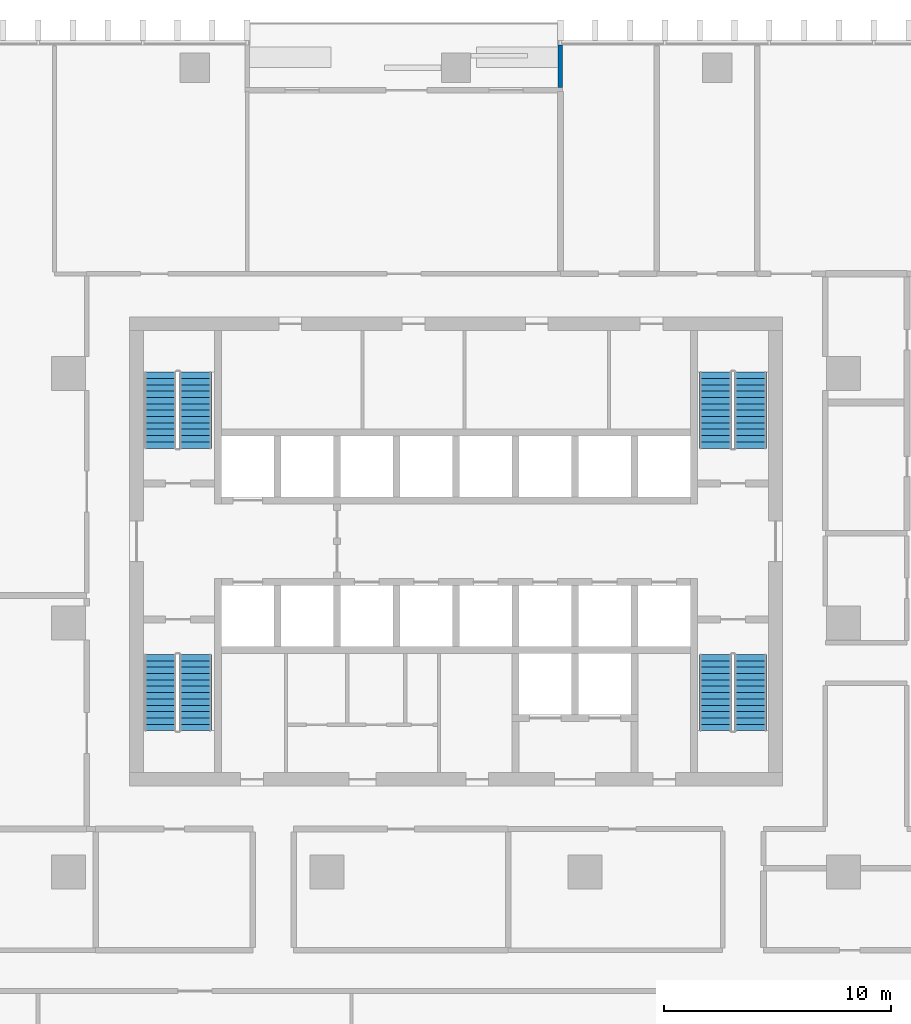
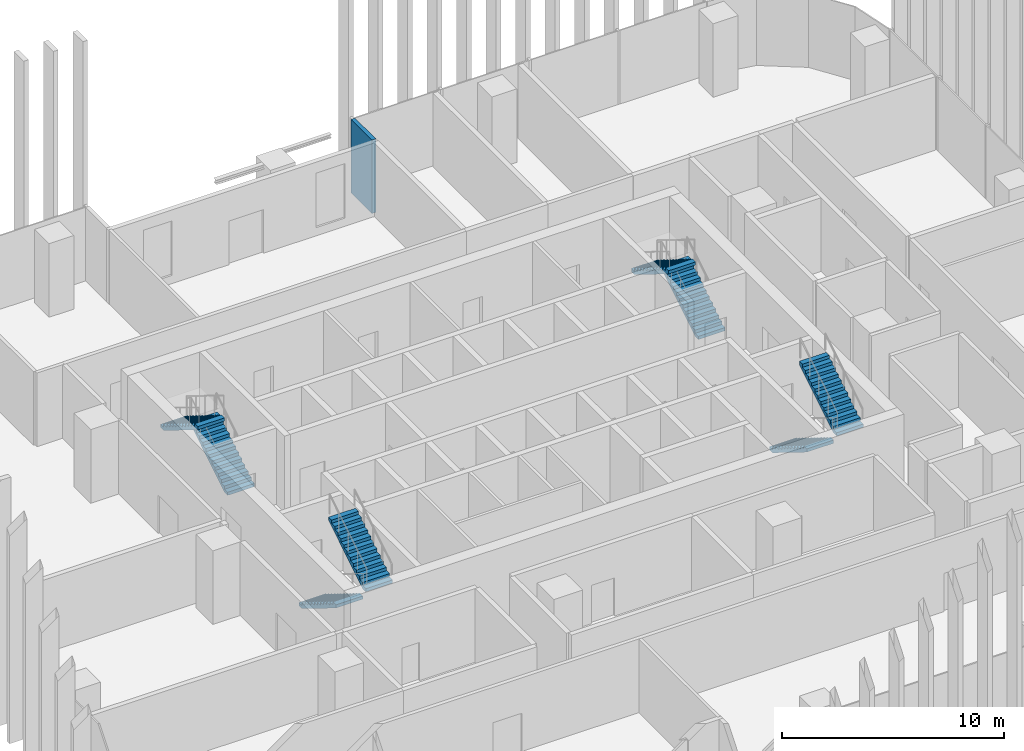
# One storey, part 11 of 17: 8 stair flights, 1 wall, 4 elements without a shape of their own.
"""IFC4 building model written with IfcOpenShell, lengths in metres."""

from ifc_helpers import new_model, si_unit, direction, frame, frame_2d, origin, place, context, subcontext, project, spatial, polyline, rectangle, outline, extrude, material, layer, layer_set, type_object, element, aggregate, save


model = new_model("IFC4")

# Units and contexts
model_context = context("Model", 3, precision=1e-05, world=origin(), true_north=direction((0.0, 1.0)))
body_context = subcontext(model_context, "Body", "Model", "MODEL_VIEW")
ifc_project = project(units=[si_unit("LENGTHUNIT", "METRE"), si_unit("AREAUNIT", "SQUARE_METRE"), si_unit("VOLUMEUNIT", "CUBIC_METRE"), si_unit("PLANEANGLEUNIT", "RADIAN"), si_unit("MASSUNIT", "GRAM", prefix="KILO")], contexts=[model_context])

# Site, building, storey
site_placement = place(None, origin())
site = spatial("IfcSite", under=ifc_project, at=site_placement, CompositionType="ELEMENT")
building_placement = place(site_placement, origin())
building = spatial("IfcBuilding", under=site, at=building_placement, Name="Mopane Tessera Tower", CompositionType="ELEMENT")
storey_placement = place(building_placement, frame((0.0, 0.0, 121.60009765625)))
storey = spatial("IfcBuildingStorey", under=building, at=storey_placement, Name="L24", CompositionType="ELEMENT", Elevation=121.60009765625)

# Wall
ifc_material_1 = material(Name="Blockwork with glazed tile facing", Category="masonry")
ifc_layer = layer(ifc_material_1, 0.199951171875)
ifc_layer_set = layer_set([ifc_layer], Name="Blockwork with glazed tile facing")
wall_type = type_object("IfcWallType", Name="Terrace cheek wall 200", PredefinedType="STANDARD", material=ifc_layer_set)
wall_placement = place(storey_placement, frame((4.610107421875, 25.5, 0.0), z_axis=(0.0, 0.0, 1.0), x_axis=(0.0, -1.0, 0.0)))
element("IfcWall", 1, at=wall_placement, inside=storey, type_object=wall_type, Name="e:nw:L24:N1:cheeka", PredefinedType="STANDARD", context=body_context, shape_type="SweptSolid", body=[
    extrude(rectangle(XDim=1.875, YDim=0.199951171875, at=frame_2d((0.9375, 0.0))), origin(), (0.0, 0.0, 1.0), 4.0498046875),
])

# Stair, stair flights
ifc_material_2 = material(Name="Concrete C50/60", Category="concrete")
stair_type = type_object("IfcStairType", Name="Escape stair 1400 mm, riser 173 mm", PredefinedType="HALF_TURN_STAIR", material=ifc_material_2)
stair_1_placement = place(storey_placement, origin())
stair_1 = element("IfcStair", 2, at=stair_1_placement, inside=storey, type_object=stair_type, Name="L24 Escape stair south-west", PredefinedType="HALF_TURN_STAIR")
ifc_material_3 = material(Name="Concrete C50/60", Category="concrete")
stair_flight_type = type_object("IfcStairFlightType", Name="Escape stair flight 1400 mm", PredefinedType="STRAIGHT", material=ifc_material_3)
stair_flight_1_placement = place(storey_placement, frame((-13.050048828125, -1.39990234375, 0.0), z_axis=(0.0, 0.0, 1.0), x_axis=(0.0, -1.0, 0.0)))
stair_flight_1 = element("IfcStairFlight", 3, at=stair_flight_1_placement, type_object=stair_flight_type, Name="ST1 flight 1", NumberOfRisers=13, NumberOfTreads=12, PredefinedType="STRAIGHT", RiserHeight=0.173076923, TreadLength=0.28, context=body_context, shape_type="SweptSolid", body=[
    extrude(outline(polyline([(0.0, 0.0), (0.0, 0.173095703125), (0.280029296875, 0.173095703125), (0.280029296875, 0.34619140625), (0.56005859375, 0.34619140625), (0.56005859375, 0.519287109375), (0.840087890625, 0.519287109375), (0.840087890625, 0.6923828125), (1.1201171875, 0.6923828125), (1.1201171875, 0.865478515625), (1.39990234375, 0.865478515625), (1.39990234375, 1.03857421875), (1.679931640625, 1.03857421875), (1.679931640625, 1.21142578125), (1.9599609375, 1.21142578125), (1.9599609375, 1.384521484375), (2.239990234375, 1.384521484375), (2.239990234375, 1.5576171875), (2.52001953125, 1.5576171875), (2.52001953125, 1.730712890625), (2.800048828125, 1.730712890625), (2.800048828125, 1.90380859375), (3.080078125, 1.90380859375), (3.080078125, 2.076904296875), (3.360107421875, 2.076904296875), (3.360107421875, 2.25), (3.360107421875, 1.900634765625), (0.28515625, 0.0), (0.0, 0.0)])), frame((0.0, 0.699951171875, 0.0), z_axis=(0.0, -1.0, 0.0), x_axis=(1.0, 0.0, 0.0)), (0.0, 0.0, 1.0), 1.39990234375),
])
stair_flight_2_placement = place(storey_placement, frame((-11.5, -4.760009765625, 2.25), z_axis=(0.0, 0.0, 1.0), x_axis=(0.0, 1.0, 0.0)))
stair_flight_2 = element("IfcStairFlight", 4, at=stair_flight_2_placement, type_object=stair_flight_type, Name="ST1 flight 2", NumberOfRisers=13, NumberOfTreads=12, PredefinedType="STRAIGHT", RiserHeight=0.173076923, TreadLength=0.28, context=body_context, shape_type="SweptSolid", body=[
    extrude(outline(polyline([(0.0, 0.0), (0.0, 0.173095703125), (0.280029296875, 0.173095703125), (0.280029296875, 0.34619140625), (0.56005859375, 0.34619140625), (0.56005859375, 0.519287109375), (0.840087890625, 0.519287109375), (0.840087890625, 0.6923828125), (1.1201171875, 0.6923828125), (1.1201171875, 0.865478515625), (1.39990234375, 0.865478515625), (1.39990234375, 1.03857421875), (1.679931640625, 1.03857421875), (1.679931640625, 1.21142578125), (1.9599609375, 1.21142578125), (1.9599609375, 1.384521484375), (2.239990234375, 1.384521484375), (2.239990234375, 1.5576171875), (2.52001953125, 1.5576171875), (2.52001953125, 1.730712890625), (2.800048828125, 1.730712890625), (2.800048828125, 1.90380859375), (3.080078125, 1.90380859375), (3.080078125, 2.076904296875), (3.360107421875, 2.076904296875), (3.360107421875, 2.25), (3.360107421875, 1.900634765625), (0.28515625, 0.0), (0.0, 0.0)])), frame((0.0, 0.699951171875, 0.0), z_axis=(0.0, -1.0, 0.0), x_axis=(1.0, 0.0, 0.0)), (0.0, 0.0, 1.0), 1.39990234375),
])
aggregate(stair_1, [stair_flight_1, stair_flight_2])

stair_2_placement = place(storey_placement, origin())
stair_2 = element("IfcStair", 5, at=stair_2_placement, inside=storey, type_object=stair_type, Name="L24 Escape stair north-west", PredefinedType="HALF_TURN_STAIR")
stair_flight_3_placement = place(storey_placement, frame((-11.5, 7.699951171875, 0.0), z_axis=(0.0, 0.0, 1.0), x_axis=(0.0, 1.0, 0.0)))
stair_flight_3 = element("IfcStairFlight", 6, at=stair_flight_3_placement, type_object=stair_flight_type, Name="ST2 flight 1", NumberOfRisers=13, NumberOfTreads=12, PredefinedType="STRAIGHT", RiserHeight=0.173076923, TreadLength=0.28, context=body_context, shape_type="SweptSolid", body=[
    extrude(outline(polyline([(0.0, 0.0), (0.0, 0.173095703125), (0.280029296875, 0.173095703125), (0.280029296875, 0.34619140625), (0.56005859375, 0.34619140625), (0.56005859375, 0.519287109375), (0.840087890625, 0.519287109375), (0.840087890625, 0.6923828125), (1.1201171875, 0.6923828125), (1.1201171875, 0.865478515625), (1.39990234375, 0.865478515625), (1.39990234375, 1.03857421875), (1.679931640625, 1.03857421875), (1.679931640625, 1.21142578125), (1.9599609375, 1.21142578125), (1.9599609375, 1.384521484375), (2.239990234375, 1.384521484375), (2.239990234375, 1.5576171875), (2.52001953125, 1.5576171875), (2.52001953125, 1.730712890625), (2.800048828125, 1.730712890625), (2.800048828125, 1.90380859375), (3.080078125, 1.90380859375), (3.080078125, 2.076904296875), (3.360107421875, 2.076904296875), (3.360107421875, 2.25), (3.360107421875, 1.900634765625), (0.28515625, 0.0), (0.0, 0.0)])), frame((0.0, 0.699951171875, 0.0), z_axis=(0.0, -1.0, 0.0), x_axis=(1.0, 0.0, 0.0)), (0.0, 0.0, 1.0), 1.39990234375),
])
stair_flight_4_placement = place(storey_placement, frame((-13.050048828125, 11.06005859375, 2.25), z_axis=(0.0, 0.0, 1.0), x_axis=(0.0, -1.0, 0.0)))
stair_flight_4 = element("IfcStairFlight", 7, at=stair_flight_4_placement, type_object=stair_flight_type, Name="ST2 flight 2", NumberOfRisers=13, NumberOfTreads=12, PredefinedType="STRAIGHT", RiserHeight=0.173076923, TreadLength=0.28, context=body_context, shape_type="SweptSolid", body=[
    extrude(outline(polyline([(0.0, 0.0), (0.0, 0.173095703125), (0.280029296875, 0.173095703125), (0.280029296875, 0.34619140625), (0.56005859375, 0.34619140625), (0.56005859375, 0.519287109375), (0.840087890625, 0.519287109375), (0.840087890625, 0.6923828125), (1.1201171875, 0.6923828125), (1.1201171875, 0.865478515625), (1.39990234375, 0.865478515625), (1.39990234375, 1.03857421875), (1.679931640625, 1.03857421875), (1.679931640625, 1.21142578125), (1.9599609375, 1.21142578125), (1.9599609375, 1.384521484375), (2.239990234375, 1.384521484375), (2.239990234375, 1.5576171875), (2.52001953125, 1.5576171875), (2.52001953125, 1.730712890625), (2.800048828125, 1.730712890625), (2.800048828125, 1.90380859375), (3.080078125, 1.90380859375), (3.080078125, 2.076904296875), (3.360107421875, 2.076904296875), (3.360107421875, 2.25), (3.360107421875, 1.900634765625), (0.28515625, 0.0), (0.0, 0.0)])), frame((0.0, 0.699951171875, 0.0), z_axis=(0.0, -1.0, 0.0), x_axis=(1.0, 0.0, 0.0)), (0.0, 0.0, 1.0), 1.39990234375),
])
aggregate(stair_2, [stair_flight_3, stair_flight_4])

stair_3_placement = place(storey_placement, origin())
stair_3 = element("IfcStair", 8, at=stair_3_placement, inside=storey, type_object=stair_type, Name="L24 Escape stair south-east", PredefinedType="HALF_TURN_STAIR")
stair_flight_5_placement = place(storey_placement, frame((11.449951171875, -1.39990234375, 0.0), z_axis=(0.0, 0.0, 1.0), x_axis=(0.0, -1.0, 0.0)))
stair_flight_5 = element("IfcStairFlight", 9, at=stair_flight_5_placement, type_object=stair_flight_type, Name="ST3 flight 1", NumberOfRisers=13, NumberOfTreads=12, PredefinedType="STRAIGHT", RiserHeight=0.173076923, TreadLength=0.28, context=body_context, shape_type="SweptSolid", body=[
    extrude(outline(polyline([(0.0, 0.0), (0.0, 0.173095703125), (0.280029296875, 0.173095703125), (0.280029296875, 0.34619140625), (0.56005859375, 0.34619140625), (0.56005859375, 0.519287109375), (0.840087890625, 0.519287109375), (0.840087890625, 0.6923828125), (1.1201171875, 0.6923828125), (1.1201171875, 0.865478515625), (1.39990234375, 0.865478515625), (1.39990234375, 1.03857421875), (1.679931640625, 1.03857421875), (1.679931640625, 1.21142578125), (1.9599609375, 1.21142578125), (1.9599609375, 1.384521484375), (2.239990234375, 1.384521484375), (2.239990234375, 1.5576171875), (2.52001953125, 1.5576171875), (2.52001953125, 1.730712890625), (2.800048828125, 1.730712890625), (2.800048828125, 1.90380859375), (3.080078125, 1.90380859375), (3.080078125, 2.076904296875), (3.360107421875, 2.076904296875), (3.360107421875, 2.25), (3.360107421875, 1.900634765625), (0.28515625, 0.0), (0.0, 0.0)])), frame((0.0, 0.699951171875, 0.0), z_axis=(0.0, -1.0, 0.0), x_axis=(1.0, 0.0, 0.0)), (0.0, 0.0, 1.0), 1.39990234375),
])
stair_flight_6_placement = place(storey_placement, frame((13.0, -4.760009765625, 2.25), z_axis=(0.0, 0.0, 1.0), x_axis=(0.0, 1.0, 0.0)))
stair_flight_6 = element("IfcStairFlight", 10, at=stair_flight_6_placement, type_object=stair_flight_type, Name="ST3 flight 2", NumberOfRisers=13, NumberOfTreads=12, PredefinedType="STRAIGHT", RiserHeight=0.173076923, TreadLength=0.28, context=body_context, shape_type="SweptSolid", body=[
    extrude(outline(polyline([(0.0, 0.0), (0.0, 0.173095703125), (0.280029296875, 0.173095703125), (0.280029296875, 0.34619140625), (0.56005859375, 0.34619140625), (0.56005859375, 0.519287109375), (0.840087890625, 0.519287109375), (0.840087890625, 0.6923828125), (1.1201171875, 0.6923828125), (1.1201171875, 0.865478515625), (1.39990234375, 0.865478515625), (1.39990234375, 1.03857421875), (1.679931640625, 1.03857421875), (1.679931640625, 1.21142578125), (1.9599609375, 1.21142578125), (1.9599609375, 1.384521484375), (2.239990234375, 1.384521484375), (2.239990234375, 1.5576171875), (2.52001953125, 1.5576171875), (2.52001953125, 1.730712890625), (2.800048828125, 1.730712890625), (2.800048828125, 1.90380859375), (3.080078125, 1.90380859375), (3.080078125, 2.076904296875), (3.360107421875, 2.076904296875), (3.360107421875, 2.25), (3.360107421875, 1.900634765625), (0.28515625, 0.0), (0.0, 0.0)])), frame((0.0, 0.699951171875, 0.0), z_axis=(0.0, -1.0, 0.0), x_axis=(1.0, 0.0, 0.0)), (0.0, 0.0, 1.0), 1.39990234375),
])
aggregate(stair_3, [stair_flight_5, stair_flight_6])

stair_4_placement = place(storey_placement, origin())
stair_4 = element("IfcStair", 11, at=stair_4_placement, inside=storey, type_object=stair_type, Name="L24 Escape stair north-east", PredefinedType="HALF_TURN_STAIR")
stair_flight_7_placement = place(storey_placement, frame((13.0, 7.699951171875, 0.0), z_axis=(0.0, 0.0, 1.0), x_axis=(0.0, 1.0, 0.0)))
stair_flight_7 = element("IfcStairFlight", 12, at=stair_flight_7_placement, type_object=stair_flight_type, Name="ST4 flight 1", NumberOfRisers=13, NumberOfTreads=12, PredefinedType="STRAIGHT", RiserHeight=0.173076923, TreadLength=0.28, context=body_context, shape_type="SweptSolid", body=[
    extrude(outline(polyline([(0.0, 0.0), (0.0, 0.173095703125), (0.280029296875, 0.173095703125), (0.280029296875, 0.34619140625), (0.56005859375, 0.34619140625), (0.56005859375, 0.519287109375), (0.840087890625, 0.519287109375), (0.840087890625, 0.6923828125), (1.1201171875, 0.6923828125), (1.1201171875, 0.865478515625), (1.39990234375, 0.865478515625), (1.39990234375, 1.03857421875), (1.679931640625, 1.03857421875), (1.679931640625, 1.21142578125), (1.9599609375, 1.21142578125), (1.9599609375, 1.384521484375), (2.239990234375, 1.384521484375), (2.239990234375, 1.5576171875), (2.52001953125, 1.5576171875), (2.52001953125, 1.730712890625), (2.800048828125, 1.730712890625), (2.800048828125, 1.90380859375), (3.080078125, 1.90380859375), (3.080078125, 2.076904296875), (3.360107421875, 2.076904296875), (3.360107421875, 2.25), (3.360107421875, 1.900634765625), (0.28515625, 0.0), (0.0, 0.0)])), frame((0.0, 0.699951171875, 0.0), z_axis=(0.0, -1.0, 0.0), x_axis=(1.0, 0.0, 0.0)), (0.0, 0.0, 1.0), 1.39990234375),
])
stair_flight_8_placement = place(storey_placement, frame((11.449951171875, 11.06005859375, 2.25), z_axis=(0.0, 0.0, 1.0), x_axis=(0.0, -1.0, 0.0)))
stair_flight_8 = element("IfcStairFlight", 13, at=stair_flight_8_placement, type_object=stair_flight_type, Name="ST4 flight 2", NumberOfRisers=13, NumberOfTreads=12, PredefinedType="STRAIGHT", RiserHeight=0.173076923, TreadLength=0.28, context=body_context, shape_type="SweptSolid", body=[
    extrude(outline(polyline([(0.0, 0.0), (0.0, 0.173095703125), (0.280029296875, 0.173095703125), (0.280029296875, 0.34619140625), (0.56005859375, 0.34619140625), (0.56005859375, 0.519287109375), (0.840087890625, 0.519287109375), (0.840087890625, 0.6923828125), (1.1201171875, 0.6923828125), (1.1201171875, 0.865478515625), (1.39990234375, 0.865478515625), (1.39990234375, 1.03857421875), (1.679931640625, 1.03857421875), (1.679931640625, 1.21142578125), (1.9599609375, 1.21142578125), (1.9599609375, 1.384521484375), (2.239990234375, 1.384521484375), (2.239990234375, 1.5576171875), (2.52001953125, 1.5576171875), (2.52001953125, 1.730712890625), (2.800048828125, 1.730712890625), (2.800048828125, 1.90380859375), (3.080078125, 1.90380859375), (3.080078125, 2.076904296875), (3.360107421875, 2.076904296875), (3.360107421875, 2.25), (3.360107421875, 1.900634765625), (0.28515625, 0.0), (0.0, 0.0)])), frame((0.0, 0.699951171875, 0.0), z_axis=(0.0, -1.0, 0.0), x_axis=(1.0, 0.0, 0.0)), (0.0, 0.0, 1.0), 1.39990234375),
])
aggregate(stair_4, [stair_flight_7, stair_flight_8])

save(model, "model.ifc")
